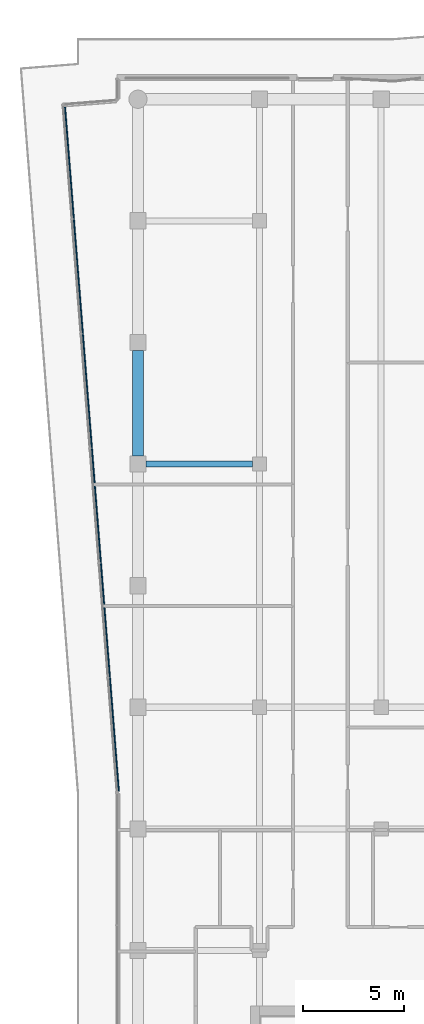
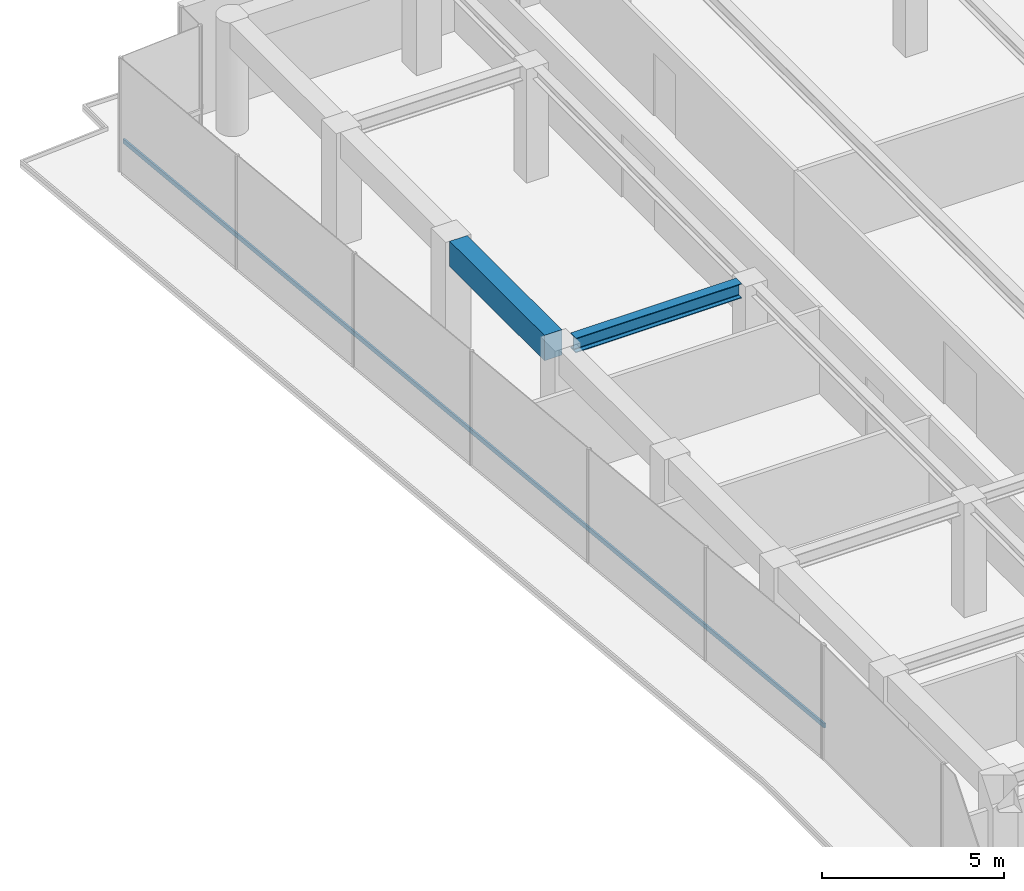
# One storey, part 10 of 23: 2 beams, 1 member, 1 element without a shape of its own.
"""IFC4 building model written with IfcOpenShell, lengths in metres."""

from ifc_helpers import new_model, si_unit, direction, frame, origin, origin_2d, place, context, subcontext, project, spatial, rectangle, i_section, extrude, material, layer, layer_set, material_profile, profile_set, type_object, element, aggregate, save


model = new_model("IFC4")

# Units and contexts
model_context = context("Model", 3, precision=1e-05, world=origin(), true_north=direction((0.0, 1.0)))
body_context = subcontext(model_context, "Body", "Model", "MODEL_VIEW")
ifc_project = project(units=[si_unit("LENGTHUNIT", "METRE"), si_unit("AREAUNIT", "SQUARE_METRE"), si_unit("VOLUMEUNIT", "CUBIC_METRE"), si_unit("PLANEANGLEUNIT", "RADIAN"), si_unit("MASSUNIT", "GRAM", prefix="KILO")], contexts=[model_context])

# Site, building, storey
site_placement = place(None, origin())
site = spatial("IfcSite", under=ifc_project, at=site_placement, CompositionType="ELEMENT")
building_placement = place(site_placement, origin())
building = spatial("IfcBuilding", under=site, at=building_placement, Name="Welwitschia Terrace Campus", CompositionType="ELEMENT")
storey_placement = place(building_placement, frame((0.0, 0.0, 209.60009765625)))
storey = spatial("IfcBuildingStorey", under=building, at=storey_placement, Name="L46", CompositionType="ELEMENT", Elevation=209.60009765625)

# Beams
ifc_material_1 = material(Name="Steel S355", Category="steel")
ifc_material_profile_1 = material_profile(ifc_material_1, i_section(OverallWidth=0.300048828125, OverallDepth=0.489990234375, WebThickness=0.011962890625, FlangeThickness=0.02294921875, FilletRadius=0.027099609375, at=origin_2d()))
ifc_profile_set_1 = profile_set([ifc_material_profile_1], Name="Steel S355")
beam_type_1 = type_object("IfcBeamType", Name="Primary beam HE 500 A", PredefinedType="BEAM", material=ifc_profile_set_1)
beam_1_placement = place(storey_placement, frame((0.400390625, 52.0, 3.554931640625), z_axis=(1.0, 0.0, 0.0), x_axis=(0.0, 1.0, 0.0)))
element("IfcBeam", 1, at=beam_1_placement, inside=storey, type_object=beam_type_1, Name="Primary beam PB5", PredefinedType="BEAM", context=body_context, shape_type="SweptSolid", body=[
    extrude(i_section(OverallWidth=0.300048828125, OverallDepth=0.489990234375, WebThickness=0.011962890625, FlangeThickness=0.02294921875, FilletRadius=0.027099609375, at=origin_2d()), origin(), (0.0, 0.0, 1.0), 5.2490234375),
])
ifc_material_2 = material(Name="Concrete C50/60", Category="concrete")
ifc_material_profile_2 = material_profile(ifc_material_2, rectangle(XDim=0.550048828125, YDim=0.85009765625, at=origin_2d()))
ifc_profile_set_2 = profile_set([ifc_material_profile_2], Name="Concrete C50/60")
beam_type_2 = type_object("IfcBeamType", Name="Ring spandrel 550x850", PredefinedType="SPANDREL", material=ifc_profile_set_2)
beam_2_placement = place(storey_placement, frame((0.0, 57.599609375, 3.375), z_axis=(0.0, -1.0, 0.0), x_axis=(1.0, 0.0, 0.0)))
element("IfcBeam", 2, at=beam_2_placement, inside=storey, type_object=beam_type_2, Name="Spandrel SP3", PredefinedType="SPANDREL", context=body_context, shape_type="SweptSolid", body=[
    extrude(rectangle(XDim=0.550048828125, YDim=0.85009765625, at=origin_2d()), origin(), (0.0, 0.0, 1.0), 5.19921875),
])

# Curtain wall, member
ifc_material_3 = material(Name="Bronze anodised aluminium", Category="aluminium")
ifc_layer = layer(ifc_material_3, 0.1201171875)
ifc_layer_set = layer_set([ifc_layer], Name="Bronze anodised aluminium")
curtain_wall_type = type_object("IfcCurtainWallType", Name="Curtain wall CW2 tower 6000", PredefinedType="NOTDEFINED", material=ifc_layer_set)
curtain_wall_placement = place(storey_placement, origin())
curtain_wall = element("IfcCurtainWall", 3, at=curtain_wall_placement, inside=storey, type_object=curtain_wall_type, Name="CW L46.11.0", PredefinedType="NOTDEFINED")
ifc_material_4 = material(Name="Bronze anodised aluminium", Category="aluminium")
ifc_material_profile_3 = material_profile(ifc_material_4, rectangle(XDim=0.06005859375, YDim=0.14990234375, at=origin_2d()))
ifc_profile_set_3 = profile_set([ifc_material_profile_3], Name="Bronze anodised aluminium")
member_type = type_object("IfcMemberType", Name="Transom 60x150", PredefinedType="USERDEFINED", material=ifc_profile_set_3)
member_placement = place(storey_placement, frame((-3.607177734375, 69.693359375, 1.0), z_axis=(0.078453162182, -0.996917800696, 0.0), x_axis=(0.996917800696, 0.078453162182, 0.0)))
member = element("IfcMember", 4, at=member_placement, type_object=member_type, Name="Transom L46.11.0", ObjectType="TRANSOM", PredefinedType="USERDEFINED", context=body_context, shape_type="SweptSolid", body=[
    extrude(rectangle(XDim=0.06005859375, YDim=0.14990234375, at=origin_2d()), origin(), (0.0, 0.0, 1.0), 33.932373046875),
])
aggregate(curtain_wall, [member])

save(model, "model.ifc")
